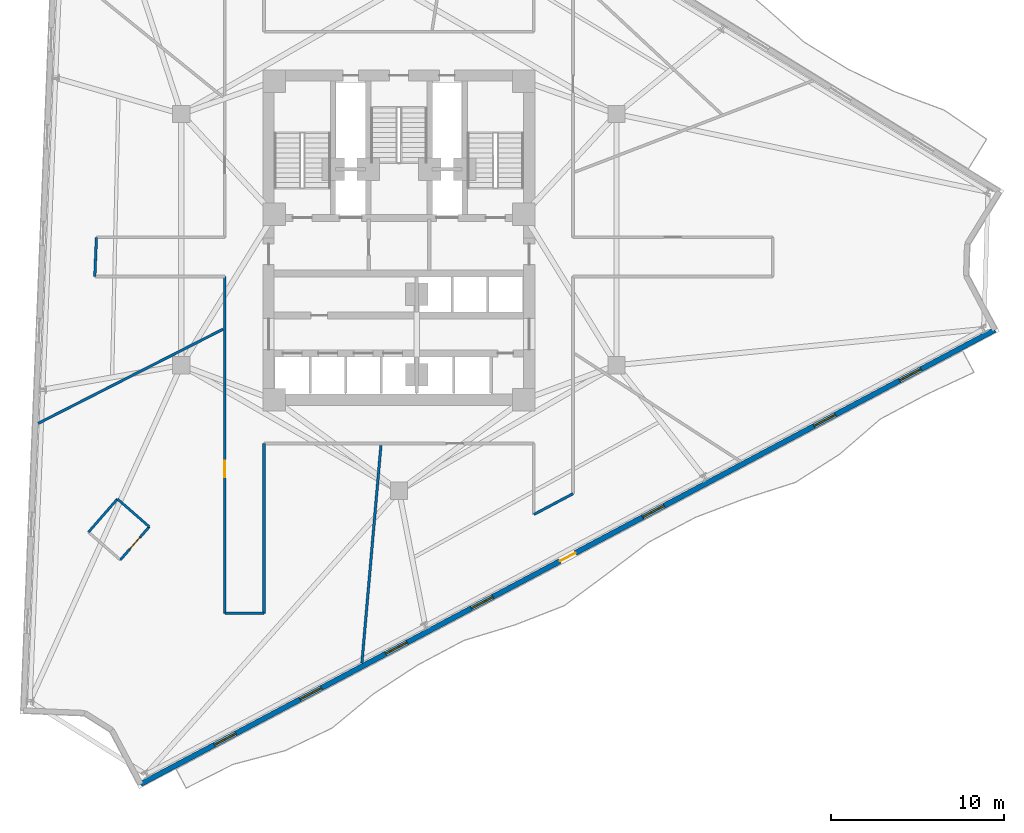
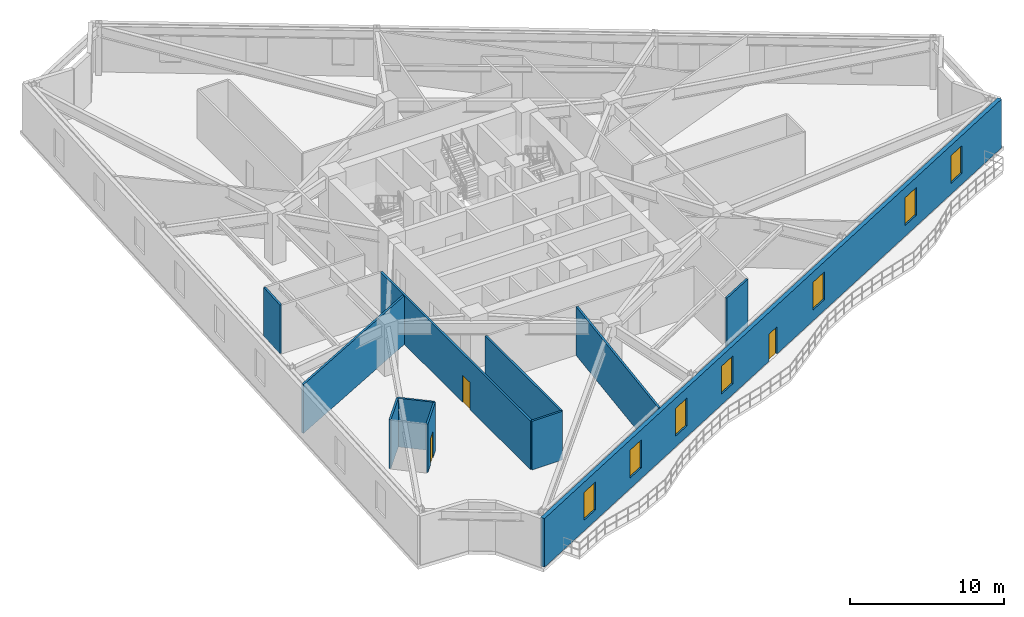
# One storey, part 5 of 11: 11 walls, 7 windows, 3 doors, 10 openings.
"""IFC4 building model written with IfcOpenShell, lengths in metres."""

from ifc_helpers import new_model, si_unit, direction, frame, frame_2d, origin, place, context, subcontext, project, spatial, rectangle, extrude, material, layer, layer_set, type_object, element, fill, save


model = new_model("IFC4")

# Units and contexts
model_context = context("Model", 3, precision=1e-05, world=origin(), true_north=direction((0.0, 1.0)))
body_context = subcontext(model_context, "Body", "Model", "MODEL_VIEW")
ifc_project = project(units=[si_unit("LENGTHUNIT", "METRE"), si_unit("AREAUNIT", "SQUARE_METRE"), si_unit("VOLUMEUNIT", "CUBIC_METRE"), si_unit("PLANEANGLEUNIT", "RADIAN"), si_unit("MASSUNIT", "GRAM", prefix="KILO")], contexts=[model_context])

# Site, building, storey
site_placement = place(None, origin())
site = spatial("IfcSite", under=ifc_project, at=site_placement, CompositionType="ELEMENT")
building_placement = place(site_placement, origin())
building = spatial("IfcBuilding", under=site, at=building_placement, Name="Apsidion Concourse Tower", CompositionType="ELEMENT")
storey_placement = place(building_placement, frame((0.0, 0.0, 186.0)))
storey = spatial("IfcBuildingStorey", under=building, at=storey_placement, Name="L43", CompositionType="ELEMENT", Elevation=186.0)

# Wall, openings, door, windows
ifc_material_1 = material(Name="Precast concrete C40/50", Category="concrete")
ifc_layer_1 = layer(ifc_material_1, 0.300048828125)
ifc_layer_set_1 = layer_set([ifc_layer_1], Name="Precast concrete C40/50")
wall_type_1 = type_object("IfcWallType", Name="WL-EXT-300", PredefinedType="STANDARD", material=ifc_layer_set_1)
wall_1_placement = place(storey_placement, frame((34.398193359375, -5.216796875, 0.0), z_axis=(0.0, 0.0, 1.0), x_axis=(-0.88294811928, -0.469470572731, 0.0)))
wall_1 = element("IfcWall", 1, at=wall_1_placement, inside=storey, type_object=wall_type_1, Name="L43 Precast Stone Facade Wall 05", PredefinedType="STANDARD", context=body_context, shape_type="SweptSolid", body=[
    extrude(rectangle(XDim=55.845458984375, YDim=0.300048828125, at=frame_2d((27.9228515625, 0.0))), origin(), (0.0, 0.0, 1.0), 3.85009765625),
])
opening_1_placement = place(wall_1_placement, frame((27.422607421875, 0.0, 0.0)))
opening_1 = element("IfcOpeningElement", 2, at=opening_1_placement, cuts=wall_1, Name="Opening D-T1R", PredefinedType="OPENING", context=body_context, shape_type="SweptSolid", body=[
    extrude(rectangle(XDim=1.0, YDim=2.14990234375, at=frame_2d((0.5, 1.074951171875))), frame((0.0, 0.16015625, 0.0), z_axis=(0.0, -1.0, 0.0), x_axis=(1.0, 0.0, 0.0)), (0.0, 0.0, 1.0), 0.320068359375),
])
opening_2_placement = place(wall_1_placement, frame((4.82275390625, 0.0, 0.85009765625)))
opening_2 = element("IfcOpeningElement", 3, at=opening_2_placement, cuts=wall_1, Name="Opening WN-05", PredefinedType="OPENING", context=body_context, shape_type="SweptSolid", body=[
    extrude(rectangle(XDim=1.39990234375, YDim=2.199951171875, at=frame_2d((0.699951171875, 1.10009765625))), frame((0.0, 0.16015625, 0.0), z_axis=(0.0, -1.0, 0.0), x_axis=(1.0, 0.0, 0.0)), (0.0, 0.0, 1.0), 0.320068359375),
])
opening_3_placement = place(wall_1_placement, frame((10.422607421875, 0.0, 0.85009765625)))
opening_3 = element("IfcOpeningElement", 4, at=opening_3_placement, cuts=wall_1, Name="Opening WN-05", PredefinedType="OPENING", context=body_context, shape_type="SweptSolid", body=[
    extrude(rectangle(XDim=1.39990234375, YDim=2.199951171875, at=frame_2d((0.699951171875, 1.10009765625))), frame((0.0, 0.16015625, 0.0), z_axis=(0.0, -1.0, 0.0), x_axis=(1.0, 0.0, 0.0)), (0.0, 0.0, 1.0), 0.320068359375),
])
opening_4_placement = place(wall_1_placement, frame((21.622802734375, 0.0, 0.85009765625)))
opening_4 = element("IfcOpeningElement", 5, at=opening_4_placement, cuts=wall_1, Name="Opening WN-05", PredefinedType="OPENING", context=body_context, shape_type="SweptSolid", body=[
    extrude(rectangle(XDim=1.39990234375, YDim=2.199951171875, at=frame_2d((0.699951171875, 1.10009765625))), frame((0.0, 0.16015625, 0.0), z_axis=(0.0, -1.0, 0.0), x_axis=(1.0, 0.0, 0.0)), (0.0, 0.0, 1.0), 0.320068359375),
])
opening_5_placement = place(wall_1_placement, frame((32.82275390625, 0.0, 0.85009765625)))
opening_5 = element("IfcOpeningElement", 6, at=opening_5_placement, cuts=wall_1, Name="Opening WN-05", PredefinedType="OPENING", context=body_context, shape_type="SweptSolid", body=[
    extrude(rectangle(XDim=1.39990234375, YDim=2.199951171875, at=frame_2d((0.699951171875, 1.10009765625))), frame((0.0, 0.16015625, 0.0), z_axis=(0.0, -1.0, 0.0), x_axis=(1.0, 0.0, 0.0)), (0.0, 0.0, 1.0), 0.320068359375),
])
opening_6_placement = place(wall_1_placement, frame((38.422607421875, 0.0, 0.85009765625)))
opening_6 = element("IfcOpeningElement", 7, at=opening_6_placement, cuts=wall_1, Name="Opening WN-05", PredefinedType="OPENING", context=body_context, shape_type="SweptSolid", body=[
    extrude(rectangle(XDim=1.39990234375, YDim=2.199951171875, at=frame_2d((0.699951171875, 1.10009765625))), frame((0.0, 0.16015625, 0.0), z_axis=(0.0, -1.0, 0.0), x_axis=(1.0, 0.0, 0.0)), (0.0, 0.0, 1.0), 0.320068359375),
])
opening_7_placement = place(wall_1_placement, frame((44.022705078125, 0.0, 0.85009765625)))
opening_7 = element("IfcOpeningElement", 8, at=opening_7_placement, cuts=wall_1, Name="Opening WN-05", PredefinedType="OPENING", context=body_context, shape_type="SweptSolid", body=[
    extrude(rectangle(XDim=1.39990234375, YDim=2.199951171875, at=frame_2d((0.699951171875, 1.10009765625))), frame((0.0, 0.16015625, 0.0), z_axis=(0.0, -1.0, 0.0), x_axis=(1.0, 0.0, 0.0)), (0.0, 0.0, 1.0), 0.320068359375),
])
opening_8_placement = place(wall_1_placement, frame((49.622802734375, 0.0, 0.85009765625)))
opening_8 = element("IfcOpeningElement", 9, at=opening_8_placement, cuts=wall_1, Name="Opening WN-05", PredefinedType="OPENING", context=body_context, shape_type="SweptSolid", body=[
    extrude(rectangle(XDim=1.39990234375, YDim=2.199951171875, at=frame_2d((0.699951171875, 1.10009765625))), frame((0.0, 0.16015625, 0.0), z_axis=(0.0, -1.0, 0.0), x_axis=(1.0, 0.0, 0.0)), (0.0, 0.0, 1.0), 0.320068359375),
])
ifc_material_2 = material(Name="Anodised aluminium EN AW-6063 T6", Category="aluminium")
door_type_1 = type_object("IfcDoorType", Name="DR-TER-1022R", OperationType="SINGLE_SWING_RIGHT", PredefinedType="DOOR", material=ifc_material_2)
door_1_placement = place(opening_1_placement, origin())
door_1 = element("IfcDoor", 10, at=door_1_placement, inside=storey, type_object=door_type_1, Name="L43 Balcony Access Door 1", OperationType="SINGLE_SWING_RIGHT", OverallHeight=2.14990234375, OverallWidth=1.0, PredefinedType="DOOR", context=body_context, shape_type="SweptSolid", body=[
    extrude(rectangle(XDim=1.0, YDim=2.14990234375, at=frame_2d((0.5, 1.074951171875))), frame((0.0, 0.02490234375, 0.0), z_axis=(0.0, -1.0, 0.0), x_axis=(1.0, 0.0, 0.0)), (0.0, 0.0, 1.0), 0.050048828125),
])
fill(opening_1, door_1)
ifc_material_3 = material(Name="Insulated laminated low-E glass", Category="glass")
window_type = type_object("IfcWindowType", Name="WN-OFF-1424", PartitioningType="SINGLE_PANEL", PredefinedType="WINDOW", material=ifc_material_3)
window_1_placement = place(opening_2_placement, origin())
window_1 = element("IfcWindow", 11, at=window_1_placement, inside=storey, type_object=window_type, Name="L43 Punched Facade Window 5-01", OverallHeight=2.199951171875, OverallWidth=1.39990234375, PartitioningType="SINGLE_PANEL", PredefinedType="WINDOW", context=body_context, shape_type="SweptSolid", body=[
    extrude(rectangle(XDim=1.39990234375, YDim=2.199951171875, at=frame_2d((0.699951171875, 1.10009765625))), frame((0.0, 0.030029296875, 0.0), z_axis=(0.0, -1.0, 0.0), x_axis=(1.0, 0.0, 0.0)), (0.0, 0.0, 1.0), 0.06005859375),
])
fill(opening_2, window_1)
window_2_placement = place(opening_3_placement, origin())
window_2 = element("IfcWindow", 12, at=window_2_placement, inside=storey, type_object=window_type, Name="L43 Punched Facade Window 5-02", OverallHeight=2.199951171875, OverallWidth=1.39990234375, PartitioningType="SINGLE_PANEL", PredefinedType="WINDOW", context=body_context, shape_type="SweptSolid", body=[
    extrude(rectangle(XDim=1.39990234375, YDim=2.199951171875, at=frame_2d((0.699951171875, 1.10009765625))), frame((0.0, 0.030029296875, 0.0), z_axis=(0.0, -1.0, 0.0), x_axis=(1.0, 0.0, 0.0)), (0.0, 0.0, 1.0), 0.06005859375),
])
fill(opening_3, window_2)
window_3_placement = place(opening_4_placement, origin())
window_3 = element("IfcWindow", 13, at=window_3_placement, inside=storey, type_object=window_type, Name="L43 Punched Facade Window 5-04", OverallHeight=2.199951171875, OverallWidth=1.39990234375, PartitioningType="SINGLE_PANEL", PredefinedType="WINDOW", context=body_context, shape_type="SweptSolid", body=[
    extrude(rectangle(XDim=1.39990234375, YDim=2.199951171875, at=frame_2d((0.699951171875, 1.10009765625))), frame((0.0, 0.030029296875, 0.0), z_axis=(0.0, -1.0, 0.0), x_axis=(1.0, 0.0, 0.0)), (0.0, 0.0, 1.0), 0.06005859375),
])
fill(opening_4, window_3)
window_4_placement = place(opening_5_placement, origin())
window_4 = element("IfcWindow", 14, at=window_4_placement, inside=storey, type_object=window_type, Name="L43 Punched Facade Window 5-06", OverallHeight=2.199951171875, OverallWidth=1.39990234375, PartitioningType="SINGLE_PANEL", PredefinedType="WINDOW", context=body_context, shape_type="SweptSolid", body=[
    extrude(rectangle(XDim=1.39990234375, YDim=2.199951171875, at=frame_2d((0.699951171875, 1.10009765625))), frame((0.0, 0.030029296875, 0.0), z_axis=(0.0, -1.0, 0.0), x_axis=(1.0, 0.0, 0.0)), (0.0, 0.0, 1.0), 0.06005859375),
])
fill(opening_5, window_4)
window_5_placement = place(opening_6_placement, origin())
window_5 = element("IfcWindow", 15, at=window_5_placement, inside=storey, type_object=window_type, Name="L43 Punched Facade Window 5-07", OverallHeight=2.199951171875, OverallWidth=1.39990234375, PartitioningType="SINGLE_PANEL", PredefinedType="WINDOW", context=body_context, shape_type="SweptSolid", body=[
    extrude(rectangle(XDim=1.39990234375, YDim=2.199951171875, at=frame_2d((0.699951171875, 1.10009765625))), frame((0.0, 0.030029296875, 0.0), z_axis=(0.0, -1.0, 0.0), x_axis=(1.0, 0.0, 0.0)), (0.0, 0.0, 1.0), 0.06005859375),
])
fill(opening_6, window_5)
window_6_placement = place(opening_7_placement, origin())
window_6 = element("IfcWindow", 16, at=window_6_placement, inside=storey, type_object=window_type, Name="L43 Punched Facade Window 5-08", OverallHeight=2.199951171875, OverallWidth=1.39990234375, PartitioningType="SINGLE_PANEL", PredefinedType="WINDOW", context=body_context, shape_type="SweptSolid", body=[
    extrude(rectangle(XDim=1.39990234375, YDim=2.199951171875, at=frame_2d((0.699951171875, 1.10009765625))), frame((0.0, 0.030029296875, 0.0), z_axis=(0.0, -1.0, 0.0), x_axis=(1.0, 0.0, 0.0)), (0.0, 0.0, 1.0), 0.06005859375),
])
fill(opening_7, window_6)
window_7_placement = place(opening_8_placement, origin())
window_7 = element("IfcWindow", 17, at=window_7_placement, inside=storey, type_object=window_type, Name="L43 Punched Facade Window 5-09", OverallHeight=2.199951171875, OverallWidth=1.39990234375, PartitioningType="SINGLE_PANEL", PredefinedType="WINDOW", context=body_context, shape_type="SweptSolid", body=[
    extrude(rectangle(XDim=1.39990234375, YDim=2.199951171875, at=frame_2d((0.699951171875, 1.10009765625))), frame((0.0, 0.030029296875, 0.0), z_axis=(0.0, -1.0, 0.0), x_axis=(1.0, 0.0, 0.0)), (0.0, 0.0, 1.0), 0.06005859375),
])
fill(opening_8, window_7)

# Wall
ifc_material_4 = material(Name="Gypsum plasterboard partition")
ifc_layer_2 = layer(ifc_material_4, 0.139892578125)
ifc_layer_set_2 = layer_set([ifc_layer_2], Name="Gypsum plasterboard partition")
wall_type_2 = type_object("IfcWallType", Name="WL-INT-PAR-140", PredefinedType="PARTITIONING", material=ifc_layer_set_2)
wall_2_placement = place(storey_placement, frame((-16.251708984375, -14.974609375, 0.0), z_axis=(0.0, 0.0, 1.0), x_axis=(-0.657360622572, -0.753576148701, 0.0)))
element("IfcWall", 18, at=wall_2_placement, inside=storey, type_object=wall_type_2, Name="L43 Interior Partition WL-L43-POD-OFAWC-S1", PredefinedType="PARTITIONING", context=body_context, shape_type="SweptSolid", body=[
    extrude(rectangle(XDim=2.5400390625, YDim=0.139892578125, at=frame_2d((1.27001953125, 0.0))), origin(), (0.0, 0.0, 1.0), 3.85009765625),
])

# Wall, opening, door
wall_3_placement = place(storey_placement, frame((-16.08251953125, -18.49267578125, 0.0), z_axis=(0.0, 0.0, 1.0), x_axis=(0.657360622572, 0.753576148701, 0.0)))
wall_3 = element("IfcWall", 19, at=wall_3_placement, inside=storey, type_object=wall_type_2, Name="L43 Interior Partition WL-L43-POD-OFAWC-S3", PredefinedType="PARTITIONING", context=body_context, shape_type="SweptSolid", body=[
    extrude(rectangle(XDim=2.5400390625, YDim=0.139892578125, at=frame_2d((1.27001953125, 0.0))), origin(), (0.0, 0.0, 1.0), 3.85009765625),
])
opening_9_placement = place(wall_3_placement, frame((0.830078125, 0.0, 0.0)))
opening_9 = element("IfcOpeningElement", 20, at=opening_9_placement, cuts=wall_3, Name="Opening D-03R", PredefinedType="OPENING", context=body_context, shape_type="SweptSolid", body=[
    extrude(rectangle(XDim=0.8798828125, YDim=2.10009765625, at=frame_2d((0.43994140625, 1.050048828125))), frame((0.0, 0.080078125, 0.0), z_axis=(0.0, -1.0, 0.0), x_axis=(1.0, 0.0, 0.0)), (0.0, 0.0, 1.0), 0.159912109375),
])
door_type_2 = type_object("IfcDoorType", Name="DR-INT-D03R", OperationType="SINGLE_SWING_RIGHT", PredefinedType="DOOR", material=ifc_material_2)
door_2_placement = place(opening_9_placement, origin())
door_2 = element("IfcDoor", 21, at=door_2_placement, inside=storey, type_object=door_type_2, Name="L43 Office Accessible WC Door OFAWC", OperationType="SINGLE_SWING_RIGHT", OverallHeight=2.10009765625, OverallWidth=0.8798828125, PredefinedType="DOOR", context=body_context, shape_type="SweptSolid", body=[
    extrude(rectangle(XDim=0.8798828125, YDim=2.10009765625, at=frame_2d((0.43994140625, 1.050048828125))), frame((0.0, 0.02490234375, 0.0), z_axis=(0.0, -1.0, 0.0), x_axis=(1.0, 0.0, 0.0)), (0.0, 0.0, 1.0), 0.050048828125),
])
fill(opening_9, door_2)

# Walls
wall_4_placement = place(storey_placement, frame((-14.412841796875, -16.57861328125, 0.0), z_axis=(0.0, 0.0, 1.0), x_axis=(-0.753592256426, 0.65734215676, 0.0)))
element("IfcWall", 22, at=wall_4_placement, inside=storey, type_object=wall_type_2, Name="L43 Interior Partition WL-L43-POD-OFAWC-S4", PredefinedType="PARTITIONING", context=body_context, shape_type="SweptSolid", body=[
    extrude(rectangle(XDim=2.440185546875, YDim=0.139892578125, at=frame_2d((1.22021484375, 0.0))), origin(), (0.0, 0.0, 1.0), 3.85009765625),
])
ifc_layer_3 = layer(ifc_material_4, 0.14990234375)
ifc_layer_set_3 = layer_set([ifc_layer_3], Name="Gypsum plasterboard partition")
wall_type_3 = type_object("IfcWallType", Name="WL-INT-PAR-150", PredefinedType="PARTITIONING", material=ifc_layer_set_3)
wall_5_placement = place(storey_placement, frame((10.050048828125, -14.6689453125, 0.0), z_axis=(0.0, 0.0, 1.0), x_axis=(-0.88294894539, -0.469469019035, 0.0)))
element("IfcWall", 23, at=wall_5_placement, inside=storey, type_object=wall_type_3, Name="L43 Interior Partition WL-L43-CORR-01", PredefinedType="PARTITIONING", context=body_context, shape_type="SweptSolid", body=[
    extrude(rectangle(XDim=2.5595703125, YDim=0.14990234375, at=frame_2d((1.27978515625, 0.0))), origin(), (0.0, 0.0, 1.0), 3.85009765625),
])
wall_6_placement = place(storey_placement, frame((-7.7900390625, -11.77490234375, 0.0), z_axis=(0.0, 0.0, 1.0), x_axis=(0.0, -1.0, 0.0)))
element("IfcWall", 24, at=wall_6_placement, inside=storey, type_object=wall_type_3, Name="L43 Interior Partition WL-L43-CORR-04", PredefinedType="PARTITIONING", context=body_context, shape_type="SweptSolid", body=[
    extrude(rectangle(XDim=9.80517578125, YDim=0.14990234375, at=frame_2d((4.902587890625, 0.0))), origin(), (0.0, 0.0, 1.0), 3.85009765625),
])
wall_7_placement = place(storey_placement, frame((-7.7900390625, -21.580078125, 0.0), z_axis=(0.0, 0.0, 1.0), x_axis=(-1.0, 0.0, 0.0)))
element("IfcWall", 25, at=wall_7_placement, inside=storey, type_object=wall_type_3, Name="L43 Interior Partition WL-L43-CORR-05", PredefinedType="PARTITIONING", context=body_context, shape_type="SweptSolid", body=[
    extrude(rectangle(XDim=2.260009765625, YDim=0.14990234375, at=frame_2d((1.1298828125, 0.0))), origin(), (0.0, 0.0, 1.0), 3.85009765625),
])

# Wall, opening, door
wall_8_placement = place(storey_placement, frame((-10.050048828125, -21.580078125, 0.0), z_axis=(0.0, 0.0, 1.0), x_axis=(0.0, 1.0, 0.0)))
wall_8 = element("IfcWall", 26, at=wall_8_placement, inside=storey, type_object=wall_type_3, Name="L43 Interior Partition WL-L43-CORR-06", PredefinedType="PARTITIONING", context=body_context, shape_type="SweptSolid", body=[
    extrude(rectangle(XDim=19.4501953125, YDim=0.14990234375, at=frame_2d((9.72509765625, 0.0))), origin(), (0.0, 0.0, 1.0), 3.85009765625),
])
opening_10_placement = place(wall_8_placement, frame((7.857421875, 0.0, 0.0)))
opening_10 = element("IfcOpeningElement", 27, at=opening_10_placement, cuts=wall_8, Name="Opening D-01L", PredefinedType="OPENING", context=body_context, shape_type="SweptSolid", body=[
    extrude(rectangle(XDim=0.949951171875, YDim=2.14990234375, at=frame_2d((0.47509765625, 1.074951171875))), frame((0.0, 0.0849609375, 0.0), z_axis=(0.0, -1.0, 0.0), x_axis=(1.0, 0.0, 0.0)), (0.0, 0.0, 1.0), 0.169921875),
])
ifc_material_5 = material(Name="Brushed stainless steel 316", Category="steel")
door_type_3 = type_object("IfcDoorType", Name="DR-INT-D01L", OperationType="SINGLE_SWING_LEFT", PredefinedType="DOOR", material=ifc_material_5)
door_3_placement = place(opening_10_placement, origin())
door_3 = element("IfcDoor", 28, at=door_3_placement, inside=storey, type_object=door_type_3, Name="L43 Corridor Entry Door 01", OperationType="SINGLE_SWING_LEFT", OverallHeight=2.14990234375, OverallWidth=0.949951171875, PredefinedType="DOOR", context=body_context, shape_type="SweptSolid", body=[
    extrude(rectangle(XDim=0.949951171875, YDim=2.14990234375, at=frame_2d((0.47509765625, 1.074951171875))), frame((0.0, 0.02490234375, 0.0), z_axis=(0.0, -1.0, 0.0), x_axis=(1.0, 0.0, 0.0)), (0.0, 0.0, 1.0), 0.050048828125),
])
fill(opening_10, door_3)

# Walls
wall_9_placement = place(storey_placement, frame((-17.556396484375, -2.1298828125, 0.0), z_axis=(0.0, 0.0, 1.0), x_axis=(0.040804363078, 0.999167155162, 0.0)))
element("IfcWall", 29, at=wall_9_placement, inside=storey, type_object=wall_type_3, Name="L43 Interior Partition WL-L43-CORR-08", PredefinedType="PARTITIONING", context=body_context, shape_type="SweptSolid", body=[
    extrude(rectangle(XDim=2.26171875, YDim=0.14990234375, at=frame_2d((1.130859375, 0.0))), origin(), (0.0, 0.0, 1.0), 3.85009765625),
])
wall_10_placement = place(storey_placement, frame((-10.155029296875, -5.17431640625, 0.0), z_axis=(0.0, 0.0, 1.0), x_axis=(-0.891004955427, -0.453993578593, 0.0)))
element("IfcWall", 30, at=wall_10_placement, inside=storey, type_object=wall_type_3, Name="L43 Interior Partition WL-L43-RAD-04-1", PredefinedType="PARTITIONING", context=body_context, shape_type="SweptSolid", body=[
    extrude(rectangle(XDim=11.975341796875, YDim=0.14990234375, at=frame_2d((5.98779296875, 0.0))), origin(), (0.0, 0.0, 1.0), 3.85009765625),
])
wall_11_placement = place(storey_placement, frame((-1.039306640625, -11.8798828125, 0.0), z_axis=(0.0, 0.0, 1.0), x_axis=(-0.087151118592, -0.996195102642, 0.0)))
element("IfcWall", 31, at=wall_11_placement, inside=storey, type_object=wall_type_3, Name="L43 Interior Partition WL-L43-RAD-05-1", PredefinedType="PARTITIONING", context=body_context, shape_type="SweptSolid", body=[
    extrude(rectangle(XDim=12.625732421875, YDim=0.14990234375, at=frame_2d((6.31298828125, 0.0))), origin(), (0.0, 0.0, 1.0), 3.85009765625),
])

save(model, "model.ifc")
